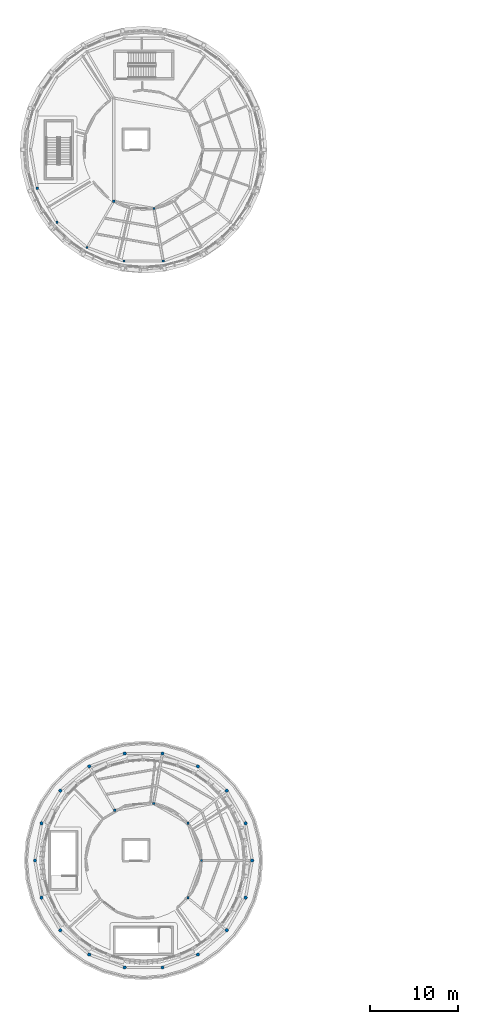
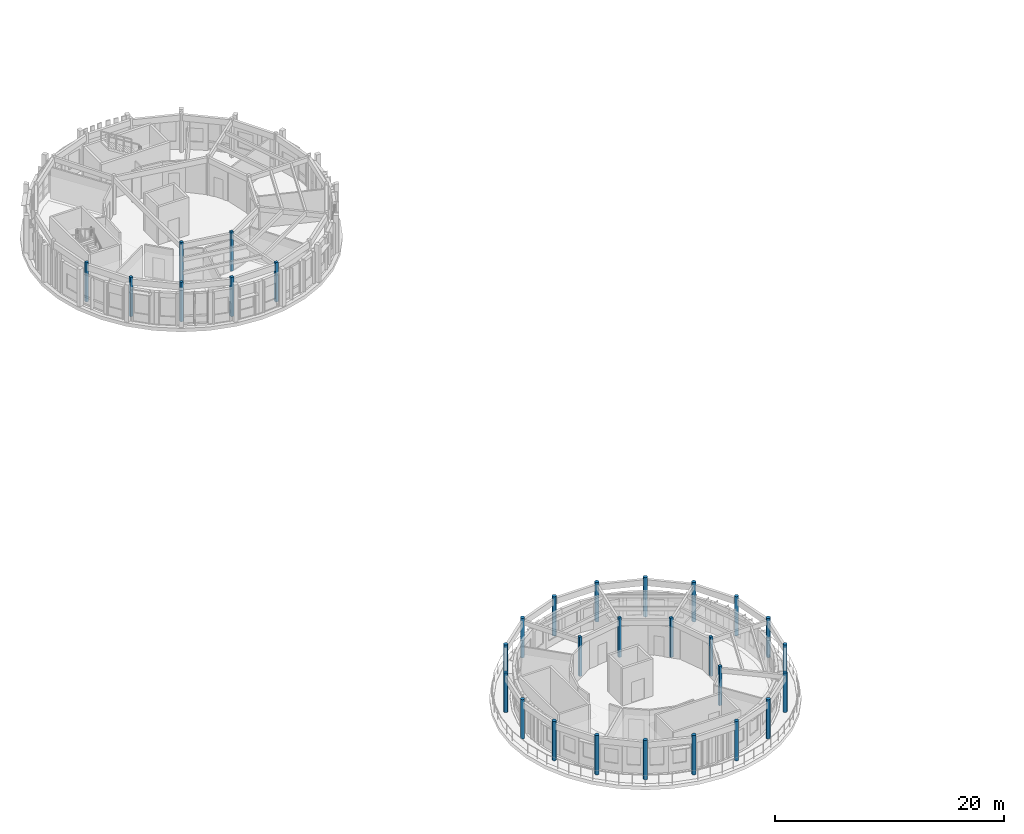
# One storey, part 1 of 30: 30 columns.
"""IFC4 building model written with IfcOpenShell, lengths in metres."""

from ifc_helpers import new_model, si_unit, direction, frame, origin, origin_2d, place, context, subcontext, project, spatial, rectangle, circle, extrude, material, material_profile, profile_set, type_object, element, save


model = new_model("IFC4")

# Units and contexts
model_context = context("Model", 3, precision=1e-05, world=origin(), true_north=direction((0.0, 1.0)))
body_context = subcontext(model_context, "Body", "Model", "MODEL_VIEW")
ifc_project = project(units=[si_unit("LENGTHUNIT", "METRE"), si_unit("AREAUNIT", "SQUARE_METRE"), si_unit("VOLUMEUNIT", "CUBIC_METRE"), si_unit("PLANEANGLEUNIT", "RADIAN"), si_unit("MASSUNIT", "GRAM", prefix="KILO")], contexts=[model_context])

# Site, building, storey
site_placement = place(None, origin())
site = spatial("IfcSite", under=ifc_project, at=site_placement, CompositionType="ELEMENT")
building_placement = place(site_placement, origin())
building = spatial("IfcBuilding", under=site, at=building_placement, Name="Aldenvaro Health Centre", CompositionType="ELEMENT")
storey_placement = place(building_placement, frame((0.0, 0.0, 17.14990234375)))
storey = spatial("IfcBuildingStorey", under=building, at=storey_placement, Name="L04", CompositionType="ELEMENT", Elevation=17.14990234375)

# Columns
ifc_material = material(Name="Glulam GL28h", Category="wood")
ifc_material_profile_1 = material_profile(ifc_material, rectangle(XDim=0.264892578125, YDim=0.264892578125, at=origin_2d()), Name="GL 265x265", Category="wood")
ifc_profile_set_1 = profile_set([ifc_material_profile_1], Name="Glulam GL28h")
column_type_1 = type_object("IfcColumnType", Name="COL-GL-265", PredefinedType="COLUMN", material=ifc_profile_set_1)
for number, where, z_axis, x_axis, name in (
    (1, (15.10009765625, 93.611083984375, 0.0), (0.0, 0.0, 1.0), (1.0, 0.0, 0.0), "D4 L04 column IN-04"),
    (2, (19.680908203125, 92.802978515625, 0.0), (0.0, 0.0, 1.0), (1.0, 0.0, 0.0), "D4 L04 column IN-05"),
    (3, (25.10009765625, 18.5, 0.0), (0.0, 0.0, 1.0), (1.0, 0.0, 0.0), "D5 L04 column IN-01"),
    (4, (23.555908203125, 22.741943359375, 0.0), (0.0, 0.0, 1.0), (1.0, 0.0, 0.0), "D5 L04 column IN-02"),
    (5, (19.64599609375, 25.0, 0.0), (0.0, 0.0, 1.0), (1.0, 0.0, 0.0), "D5 L04 column IN-03"),
    (6, (15.199951171875, 24.216064453125, 0.0), (0.0, 0.0, 1.0), (1.0, 0.0, 0.0), "D5 L04 column IN-04"),
    (7, (23.555908203125, 14.258056640625, 0.0), (0.0, 0.0, 1.0), (1.0, 0.0, 0.0), "D5 L04 column IN-05"),
):
    element("IfcColumn", number, at=place(storey_placement, frame(where, z_axis=z_axis, x_axis=x_axis)), inside=storey, type_object=column_type_1, Name=name, PredefinedType="COLUMN", context=body_context, shape_type="SweptSolid", body=[
        extrude(rectangle(XDim=0.264892578125, YDim=0.264892578125, at=origin_2d()), origin(), (0.0, 0.0, 1.0), 4.2001953125),
    ])
ifc_material_profile_2 = material_profile(ifc_material, rectangle(XDim=0.264892578125, YDim=0.264892578125, at=origin_2d()), Name="GL 265x265", Category="wood")
ifc_profile_set_2 = profile_set([ifc_material_profile_2], Name="Glulam GL28h")
column_type_2 = type_object("IfcColumnType", Name="COL-GL-265E", PredefinedType="COLUMN", material=ifc_profile_set_2)
for number, where, z_axis, x_axis, name in (
    (8, (6.39697265625, 95.094970703125, 0.0), (0.0, 0.0, 1.0), (1.0, 0.0, 0.0), "D4 L04 column OUT-11"),
    (9, (8.633056640625, 91.220947265625, 0.0), (0.0, 0.0, 1.0), (1.0, 0.0, 0.0), "D4 L04 column OUT-12"),
    (10, (12.06005859375, 88.345947265625, 0.0), (0.0, 0.0, 1.0), (1.0, 0.0, 0.0), "D4 L04 column OUT-13"),
    (11, (16.262939453125, 86.81591796875, 0.0), (0.0, 0.0, 1.0), (1.0, 0.0, 0.0), "D4 L04 column OUT-14"),
    (12, (20.737060546875, 86.81591796875, 0.0), (0.0, 0.0, 1.0), (1.0, 0.0, 0.0), "D4 L04 column OUT-15"),
):
    element("IfcColumn", number, at=place(storey_placement, frame(where, z_axis=z_axis, x_axis=x_axis)), inside=storey, type_object=column_type_2, Name=name, PredefinedType="COLUMN", context=body_context, shape_type="SweptSolid", body=[
        extrude(rectangle(XDim=0.264892578125, YDim=0.264892578125, at=origin_2d()), origin(), (0.0, 0.0, 1.0), 4.2001953125),
    ])
ifc_material_profile_3 = material_profile(ifc_material, circle(Radius=0.18994140625, at=origin_2d()), Name="GL D380", Category="wood")
ifc_profile_set_3 = profile_set([ifc_material_profile_3], Name="Glulam GL28h")
column_type_3 = type_object("IfcColumnType", Name="COL-GL-D380", PredefinedType="PILASTER", material=ifc_profile_set_3)
for number, where, z_axis, x_axis, name in (
    (13, (30.8798828125, 18.5, 0.0), (0.0, 0.0, 1.0), (1.0, 0.0, 0.0), "D5 L04 column OUT-01"),
    (14, (30.133056640625, 22.73388671875, 0.0), (0.0, 0.0, 1.0), (1.0, 0.0, 0.0), "D5 L04 column OUT-02"),
    (15, (27.98388671875, 26.4580078125, 0.0), (0.0, 0.0, 1.0), (1.0, 0.0, 0.0), "D5 L04 column OUT-03"),
    (16, (24.68994140625, 29.220947265625, 0.0), (0.0, 0.0, 1.0), (1.0, 0.0, 0.0), "D5 L04 column OUT-04"),
    (17, (20.64990234375, 30.69189453125, 0.0), (0.0, 0.0, 1.0), (1.0, 0.0, 0.0), "D5 L04 column OUT-05"),
    (18, (16.35009765625, 30.69189453125, 0.0), (0.0, 0.0, 1.0), (1.0, 0.0, 0.0), "D5 L04 column OUT-06"),
    (19, (12.31005859375, 29.220947265625, 0.0), (0.0, 0.0, 1.0), (1.0, 0.0, 0.0), "D5 L04 column OUT-07"),
    (20, (9.01611328125, 26.4580078125, 0.0), (0.0, 0.0, 1.0), (1.0, 0.0, 0.0), "D5 L04 column OUT-08"),
    (21, (6.866943359375, 22.73388671875, 0.0), (0.0, 0.0, 1.0), (1.0, 0.0, 0.0), "D5 L04 column OUT-09"),
    (22, (6.1201171875, 18.5, 0.0), (0.0, 0.0, 1.0), (1.0, 0.0, 0.0), "D5 L04 column OUT-10"),
    (23, (6.866943359375, 14.26611328125, 0.0), (0.0, 0.0, 1.0), (1.0, 0.0, 0.0), "D5 L04 column OUT-11"),
    (24, (9.01611328125, 10.5419921875, 0.0), (0.0, 0.0, 1.0), (1.0, 0.0, 0.0), "D5 L04 column OUT-12"),
    (25, (12.31005859375, 7.779052734375, 0.0), (0.0, 0.0, 1.0), (1.0, 0.0, 0.0), "D5 L04 column OUT-13"),
    (26, (16.35009765625, 6.30810546875, 0.0), (0.0, 0.0, 1.0), (1.0, 0.0, 0.0), "D5 L04 column OUT-14"),
    (27, (20.64990234375, 6.30810546875, 0.0), (0.0, 0.0, 1.0), (1.0, 0.0, 0.0), "D5 L04 column OUT-15"),
    (28, (24.68994140625, 7.779052734375, 0.0), (0.0, 0.0, 1.0), (1.0, 0.0, 0.0), "D5 L04 column OUT-16"),
    (29, (27.98388671875, 10.5419921875, 0.0), (0.0, 0.0, 1.0), (1.0, 0.0, 0.0), "D5 L04 column OUT-17"),
    (30, (30.133056640625, 14.26611328125, 0.0), (0.0, 0.0, 1.0), (1.0, 0.0, 0.0), "D5 L04 column OUT-18"),
):
    element("IfcColumn", number, at=place(storey_placement, frame(where, z_axis=z_axis, x_axis=x_axis)), inside=storey, type_object=column_type_3, Name=name, PredefinedType="PILASTER", context=body_context, shape_type="SweptSolid", body=[
        extrude(circle(Radius=0.18994140625, at=origin_2d()), origin(), (0.0, 0.0, 1.0), 4.2001953125),
    ])

save(model, "model.ifc")
